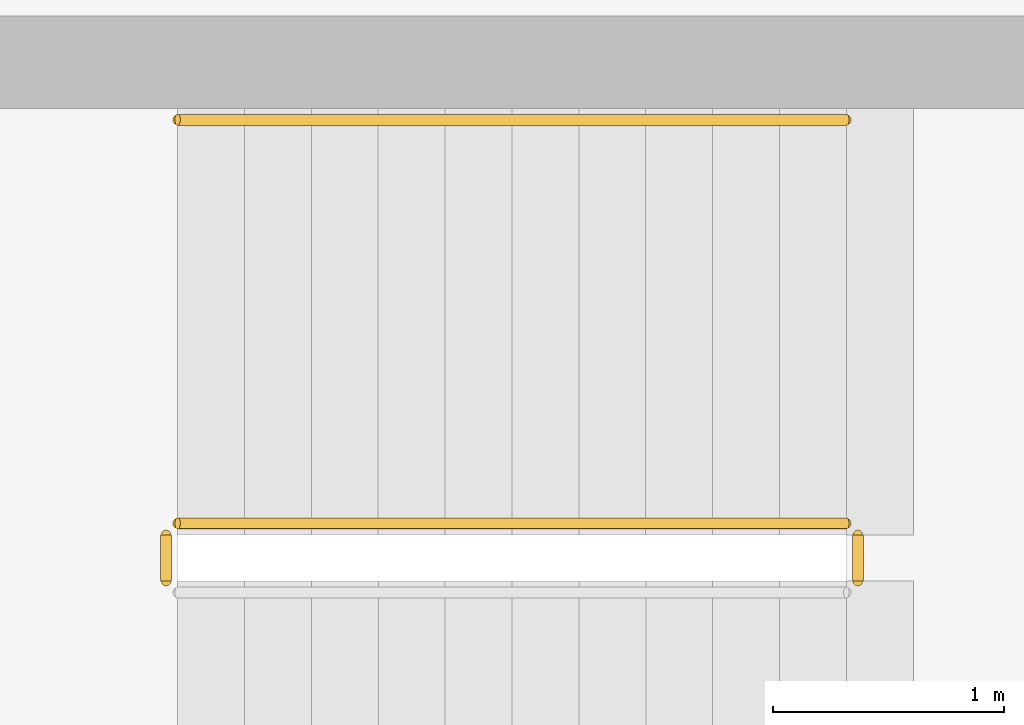
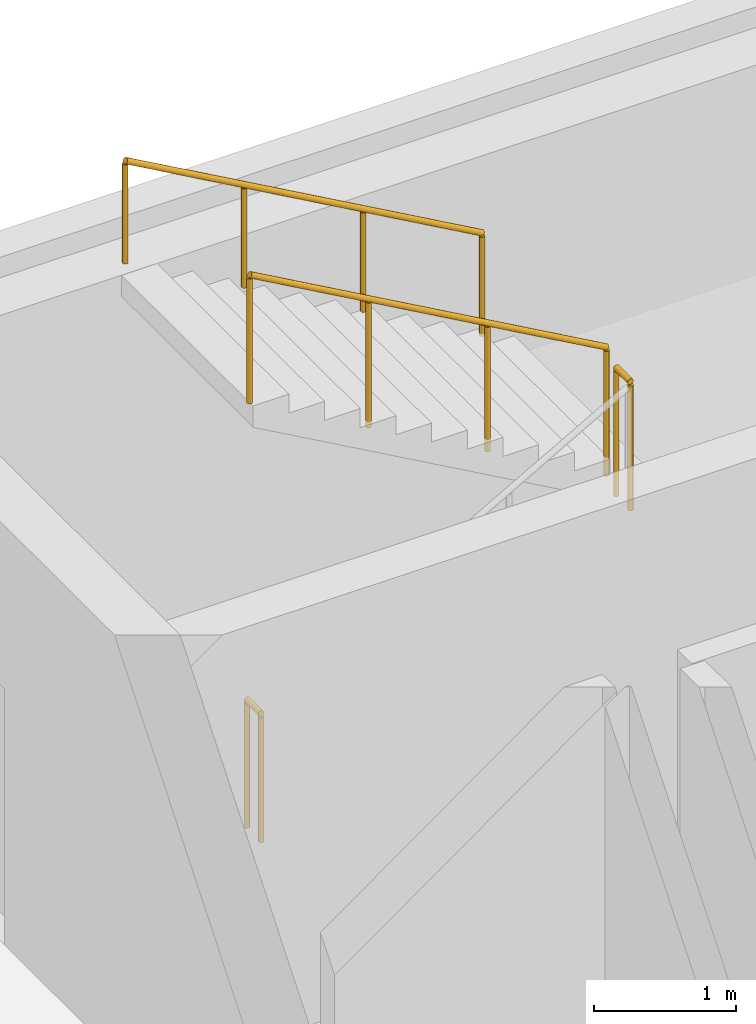
# One storey, part 30 of 34: 4 railings.
"""IFC4 building model written with IfcOpenShell, lengths in metres."""

from ifc_helpers import new_model, si_unit, direction, frame, origin, origin_2d, place, context, subcontext, project, spatial, circle, extrude, material, type_object, element, save


model = new_model("IFC4")

# Units and contexts
model_context = context("Model", 3, precision=1e-05, world=origin(), true_north=direction((0.0, 1.0)))
body_context = subcontext(model_context, "Body", "Model", "MODEL_VIEW")
ifc_project = project(units=[si_unit("LENGTHUNIT", "METRE"), si_unit("AREAUNIT", "SQUARE_METRE"), si_unit("VOLUMEUNIT", "CUBIC_METRE"), si_unit("PLANEANGLEUNIT", "RADIAN"), si_unit("MASSUNIT", "GRAM", prefix="KILO")], contexts=[model_context])

# Site, building, storey
site_placement = place(None, origin())
site = spatial("IfcSite", under=ifc_project, at=site_placement, CompositionType="ELEMENT")
building_placement = place(site_placement, origin())
building = spatial("IfcBuilding", under=site, at=building_placement, Name="Sollismere Congress Hotel", CompositionType="ELEMENT")
storey_placement = place(building_placement, frame((0.0, 0.0, 23.39990234375)))
storey = spatial("IfcBuildingStorey", under=building, at=storey_placement, Name="L05", CompositionType="ELEMENT", Elevation=23.39990234375)

# Railings
ifc_material_1 = material(Name="Steel ASTM A500 Grade C", Category="steel")
railing_type_1 = type_object("IfcRailingType", Name="RL-GRD112", PredefinedType="GUARDRAIL", material=ifc_material_1)
railing_1_placement = place(storey_placement, frame((98.800048828125, 16.300048828125, 1.800048828125)))
element("IfcRailing", 1, at=railing_1_placement, inside=storey, type_object=railing_type_1, Name="RLG-RG-ST-02-L05-2", PredefinedType="GUARDRAIL", context=body_context, shape_type="SweptSolid", body=[
    extrude(circle(Radius=0.02392578125, at=origin_2d()), frame((0.0, 0.0, 1.09619140625), z_axis=(0.0, 1.0, 0.0), x_axis=(-1.0, 0.0, 0.0)), (0.0, 0.0, 1.0), 0.199951171875),
    extrude(circle(Radius=0.02099609375, at=origin_2d()), origin(), (0.0, 0.0, 1.0), 1.072021484375),
    extrude(circle(Radius=0.02099609375, at=origin_2d()), frame((0.0, 0.199951171875, 0.0)), (0.0, 0.0, 1.0), 1.072021484375),
])
railing_2_placement = place(storey_placement, frame((98.75, 16.550048828125, 1.963623046875)))
element("IfcRailing", 2, at=railing_2_placement, inside=storey, type_object=railing_type_1, Name="RLG-RG-ST-02-L05-3", PredefinedType="GUARDRAIL", context=body_context, shape_type="SweptSolid", body=[
    extrude(circle(Radius=0.02392578125, at=origin_2d()), frame((0.0, 0.0, 1.09619140625), z_axis=(-0.870897200241, 0.0, 0.491465224214), x_axis=(0.0, -1.0, 0.0)), (0.0, 0.0, 1.0), 3.329833984375),
    extrude(circle(Radius=0.02099609375, at=origin_2d()), origin(), (0.0, 0.0, 1.0), 1.072021484375),
    extrude(circle(Radius=0.02099609375, at=origin_2d()), frame((-0.966552734375, 0.0, 0.54541015625)), (0.0, 0.0, 1.0), 1.072021484375),
    extrude(circle(Radius=0.02099609375, at=origin_2d()), frame((-1.933349609375, 0.0, 1.091064453125)), (0.0, 0.0, 1.0), 1.072021484375),
    extrude(circle(Radius=0.02099609375, at=origin_2d()), frame((-2.89990234375, 0.0, 1.636474609375)), (0.0, 0.0, 1.0), 1.072021484375),
])
railing_3_placement = place(storey_placement, frame((95.800048828125, 16.300048828125, 0.0)))
element("IfcRailing", 3, at=railing_3_placement, inside=storey, type_object=railing_type_1, Name="RLG-RG-ST-02-L05-4", PredefinedType="GUARDRAIL", context=body_context, shape_type="SweptSolid", body=[
    extrude(circle(Radius=0.02392578125, at=origin_2d()), frame((0.0, 0.0, 1.09619140625), z_axis=(0.0, 1.0, 0.0), x_axis=(-1.0, 0.0, 0.0)), (0.0, 0.0, 1.0), 0.199951171875),
    extrude(circle(Radius=0.02099609375, at=origin_2d()), origin(), (0.0, 0.0, 1.0), 1.072021484375),
    extrude(circle(Radius=0.02099609375, at=origin_2d()), frame((0.0, 0.199951171875, 0.0)), (0.0, 0.0, 1.0), 1.072021484375),
])
ifc_material_2 = material(Name="Brushed Architectural Bronze")
railing_type_2 = type_object("IfcRailingType", Name="RL-HND90", PredefinedType="HANDRAIL", material=ifc_material_2)
railing_4_placement = place(storey_placement, frame((98.75, 18.300048828125, 2.103271484375)))
element("IfcRailing", 4, at=railing_4_placement, inside=storey, type_object=railing_type_2, Name="RLG-RH-ST-02-L05-2", PredefinedType="HANDRAIL", context=body_context, shape_type="SweptSolid", body=[
    extrude(circle(Radius=0.02392578125, at=origin_2d()), frame((0.0, 0.0, 0.8759765625), z_axis=(-0.870897200241, 0.0, 0.491465224214), x_axis=(0.0, -1.0, 0.0)), (0.0, 0.0, 1.0), 3.329833984375),
    extrude(circle(Radius=0.02099609375, at=origin_2d()), origin(), (0.0, 0.0, 1.0), 0.851806640625),
    extrude(circle(Radius=0.02099609375, at=origin_2d()), frame((-0.966552734375, 0.0, 0.54541015625)), (0.0, 0.0, 1.0), 0.851806640625),
    extrude(circle(Radius=0.02099609375, at=origin_2d()), frame((-1.933349609375, 0.0, 1.091064453125)), (0.0, 0.0, 1.0), 0.851806640625),
    extrude(circle(Radius=0.02099609375, at=origin_2d()), frame((-2.89990234375, 0.0, 1.636474609375)), (0.0, 0.0, 1.0), 0.851806640625),
])

save(model, "model.ifc")
